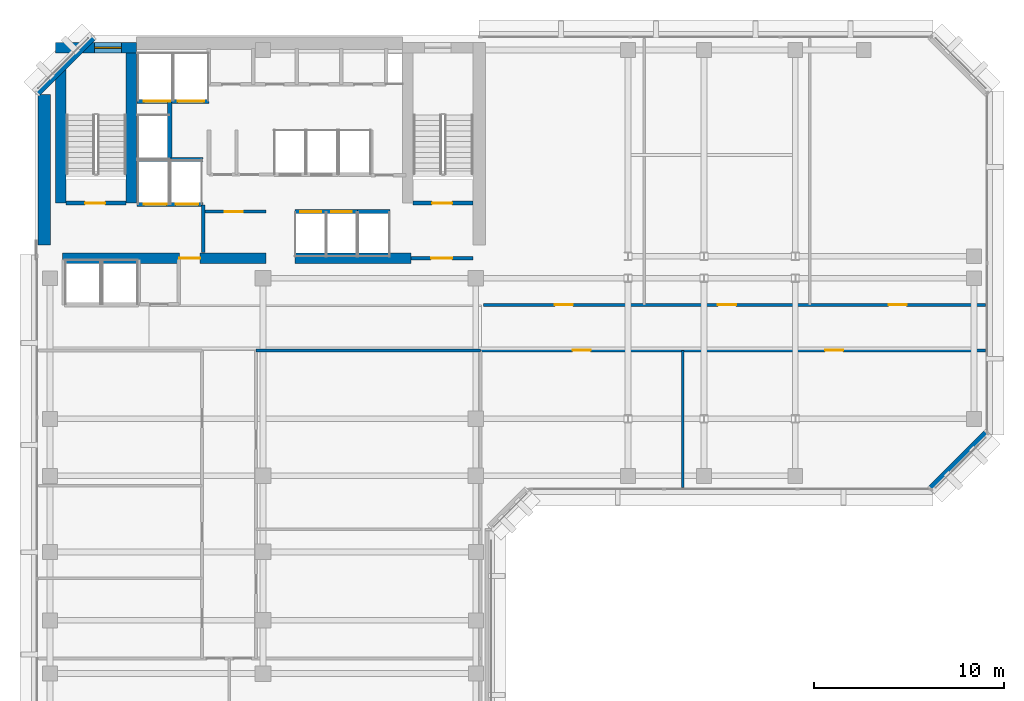
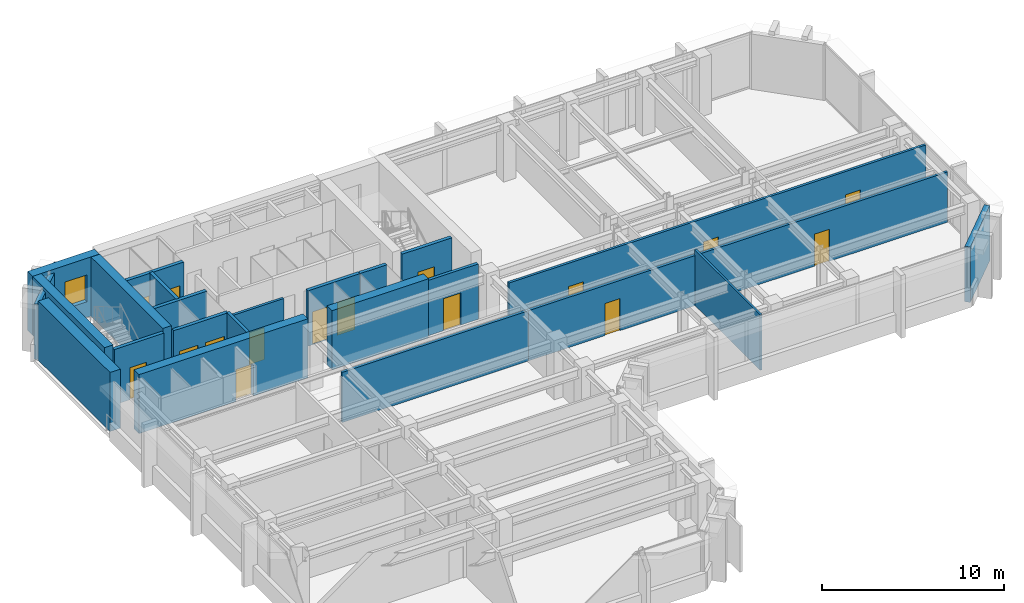
# One storey, part 7 of 12: 23 walls, 16 doors, 1 window, 17 openings.
"""IFC4 building model written with IfcOpenShell, lengths in metres."""

from ifc_helpers import new_model, si_unit, direction, frame, frame_2d, origin, place, context, subcontext, project, spatial, rectangle, extrude, material, layer, layer_set, type_object, element, fill, save


model = new_model("IFC4")

# Units and contexts
model_context = context("Model", 3, precision=1e-05, world=origin(), true_north=direction((0.0, 1.0)))
body_context = subcontext(model_context, "Body", "Model", "MODEL_VIEW")
ifc_project = project(units=[si_unit("LENGTHUNIT", "METRE"), si_unit("AREAUNIT", "SQUARE_METRE"), si_unit("VOLUMEUNIT", "CUBIC_METRE"), si_unit("PLANEANGLEUNIT", "RADIAN"), si_unit("MASSUNIT", "GRAM", prefix="KILO")], contexts=[model_context])

# Site, building, storey
site_placement = place(None, origin())
site = spatial("IfcSite", under=ifc_project, at=site_placement, CompositionType="ELEMENT")
building_placement = place(site_placement, origin())
building = spatial("IfcBuilding", under=site, at=building_placement, Name="Kefirva Bronze Tower", CompositionType="ELEMENT")
storey_placement = place(building_placement, frame((0.0, 0.0, 203.280029296875)))
storey = spatial("IfcBuildingStorey", under=building, at=storey_placement, Name="L49", CompositionType="ELEMENT", Elevation=203.280029296875)

# Wall
ifc_material_1 = material(Name="Gypsum acoustic partition")
ifc_layer_1 = layer(ifc_material_1, 0.1298828125, Name="Gypsum acoustic partition")
ifc_layer_set_1 = layer_set([ifc_layer_1], Name="Gypsum acoustic partition")
wall_type_1 = type_object("IfcWallType", Name="Acoustic Office Partition 130mm", PredefinedType="PARTITIONING", material=ifc_layer_set_1)
wall_1_placement = place(storey_placement, frame((34.073974609375, 22.18994140625, 0.0), z_axis=(0.0, 0.0, 1.0), x_axis=(0.0, 1.0, 0.0)))
element("IfcWall", 1, at=wall_1_placement, inside=storey, type_object=wall_type_1, Name="L49 Partition W-L49-ESD1", PredefinedType="PARTITIONING", context=body_context, shape_type="SweptSolid", body=[
    extrude(rectangle(XDim=7.2099609375, YDim=0.1298828125, at=frame_2d((3.60498046875, 0.0))), origin(), (0.0, 0.0, 1.0), 3.7099609375),
])

# Wall, opening, door
ifc_material_2 = material(Name="Gypsum fireboard shaftwall")
ifc_layer_2 = layer(ifc_material_2, 0.219970703125, Name="Gypsum fireboard shaftwall")
ifc_layer_set_2 = layer_set([ifc_layer_2], Name="Gypsum fireboard shaftwall")
wall_type_2 = type_object("IfcWallType", Name="Fire-Rated Shaft Enclosure Wall 220mm", PredefinedType="PARTITIONING", material=ifc_layer_set_2)
wall_2_placement = place(storey_placement, frame((1.64990234375, 37.14990234375, 0.0), z_axis=(0.0, 0.0, 1.0), x_axis=(1.0, 0.0, 0.0)))
wall_2 = element("IfcWall", 2, at=wall_2_placement, inside=storey, type_object=wall_type_2, Name="L49 Partition W-L49-ST1S", PredefinedType="PARTITIONING", context=body_context, shape_type="SweptSolid", body=[
    extrude(rectangle(XDim=3.150146484375, YDim=0.219970703125, at=frame_2d((1.5751953125, 0.0))), origin(), (0.0, 0.0, 1.0), 3.7099609375),
])
opening_1_placement = place(wall_2_placement, frame((2.050048828125, 0.0, 0.0), z_axis=(0.0, 0.0, 1.0), x_axis=(-1.0, 0.0, 0.0)))
opening_1 = element("IfcOpeningElement", 3, at=opening_1_placement, cuts=wall_2, Name="Opening L49-D001", PredefinedType="OPENING", context=body_context, shape_type="SweptSolid", body=[
    extrude(rectangle(XDim=1.050048828125, YDim=2.14990234375, at=frame_2d((0.52490234375, 1.074951171875))), frame((0.0, 0.1201171875, 0.0), z_axis=(0.0, -1.0, 0.0), x_axis=(1.0, 0.0, 0.0)), (0.0, 0.0, 1.0), 0.239990234375),
])
ifc_material_3 = material(Name="Painted galvanized steel", Category="steel")
door_type_1 = type_object("IfcDoorType", Name="Fire Stair Enclosure Door 1050x2150 FD90S", OperationType="NOTDEFINED", PredefinedType="DOOR", material=ifc_material_3)
door_1_placement = place(opening_1_placement, origin())
door_1 = element("IfcDoor", 4, at=door_1_placement, inside=storey, type_object=door_type_1, Name="Door L49-D001", OperationType="SINGLE_SWING_LEFT", OverallHeight=2.14990234375, OverallWidth=1.050048828125, PredefinedType="DOOR", context=body_context, shape_type="SweptSolid", body=[
    extrude(rectangle(XDim=1.050048828125, YDim=2.14990234375, at=frame_2d((0.52490234375, 1.074951171875))), frame((0.0, 0.02490234375, 0.0), z_axis=(0.0, -1.0, 0.0), x_axis=(1.0, 0.0, 0.0)), (0.0, 0.0, 1.0), 0.050048828125),
])
fill(opening_1, door_1)

wall_3_placement = place(storey_placement, frame((19.89990234375, 37.14990234375, 0.0), z_axis=(0.0, 0.0, 1.0), x_axis=(1.0, 0.0, 0.0)))
wall_3 = element("IfcWall", 5, at=wall_3_placement, inside=storey, type_object=wall_type_2, Name="L49 Partition W-L49-ST2S", PredefinedType="PARTITIONING", context=body_context, shape_type="SweptSolid", body=[
    extrude(rectangle(XDim=3.150146484375, YDim=0.219970703125, at=frame_2d((1.5751953125, 0.0))), origin(), (0.0, 0.0, 1.0), 3.7099609375),
])
opening_2_placement = place(wall_3_placement, frame((2.050048828125, 0.0, 0.0), z_axis=(0.0, 0.0, 1.0), x_axis=(-1.0, 0.0, 0.0)))
opening_2 = element("IfcOpeningElement", 6, at=opening_2_placement, cuts=wall_3, Name="Opening L49-D003", PredefinedType="OPENING", context=body_context, shape_type="SweptSolid", body=[
    extrude(rectangle(XDim=1.050048828125, YDim=2.14990234375, at=frame_2d((0.52490234375, 1.074951171875))), frame((0.0, 0.1201171875, 0.0), z_axis=(0.0, -1.0, 0.0), x_axis=(1.0, 0.0, 0.0)), (0.0, 0.0, 1.0), 0.239990234375),
])
door_2_placement = place(opening_2_placement, origin())
door_2 = element("IfcDoor", 7, at=door_2_placement, inside=storey, type_object=door_type_1, Name="Door L49-D003", OperationType="SINGLE_SWING_LEFT", OverallHeight=2.14990234375, OverallWidth=1.050048828125, PredefinedType="DOOR", context=body_context, shape_type="SweptSolid", body=[
    extrude(rectangle(XDim=1.050048828125, YDim=2.14990234375, at=frame_2d((0.52490234375, 1.074951171875))), frame((0.0, 0.02490234375, 0.0), z_axis=(0.0, -1.0, 0.0), x_axis=(1.0, 0.0, 0.0)), (0.0, 0.0, 1.0), 0.050048828125),
])
fill(opening_2, door_2)

# Wall, openings, doors
wall_4_placement = place(storey_placement, frame((5.3798828125, 37.080078125, 0.0), z_axis=(0.0, 0.0, 1.0), x_axis=(1.0, 0.0, 0.0)))
wall_4 = element("IfcWall", 8, at=wall_4_placement, inside=storey, type_object=wall_type_2, Name="L49 Partition W-L49-FFS", PredefinedType="PARTITIONING", context=body_context, shape_type="SweptSolid", body=[
    extrude(rectangle(XDim=3.460205078125, YDim=0.219970703125, at=frame_2d((1.72998046875, 0.0))), origin(), (0.0, 0.0, 1.0), 3.7099609375),
])
opening_3_placement = place(wall_4_placement, frame((1.550048828125, 0.0, 0.0), z_axis=(0.0, 0.0, 1.0), x_axis=(-1.0, 0.0, 0.0)))
opening_3 = element("IfcOpeningElement", 9, at=opening_3_placement, cuts=wall_4, Name="Opening L49-LD-FF1", PredefinedType="OPENING", context=body_context, shape_type="SweptSolid", body=[
    extrude(rectangle(XDim=1.199951171875, YDim=2.199951171875, at=frame_2d((0.60009765625, 1.10009765625))), frame((0.0, 0.1201171875, 0.0), z_axis=(0.0, -1.0, 0.0), x_axis=(1.0, 0.0, 0.0)), (0.0, 0.0, 1.0), 0.239990234375),
])
opening_4_placement = place(wall_4_placement, frame((3.219970703125, 0.0, 0.0), z_axis=(0.0, 0.0, 1.0), x_axis=(-1.0, 0.0, 0.0)))
opening_4 = element("IfcOpeningElement", 10, at=opening_4_placement, cuts=wall_4, Name="Opening L49-LD-FF2", PredefinedType="OPENING", context=body_context, shape_type="SweptSolid", body=[
    extrude(rectangle(XDim=1.199951171875, YDim=2.199951171875, at=frame_2d((0.60009765625, 1.10009765625))), frame((0.0, 0.1201171875, 0.0), z_axis=(0.0, -1.0, 0.0), x_axis=(1.0, 0.0, 0.0)), (0.0, 0.0, 1.0), 0.239990234375),
])
ifc_material_4 = material(Name="Stainless steel 316", Category="steel")
door_type_2 = type_object("IfcDoorType", Name="Firefighting Lift Sliding Door 1200x2200", OperationType="SLIDING_TO_RIGHT", PredefinedType="DOOR", material=ifc_material_4)
door_3_placement = place(opening_3_placement, origin())
door_3 = element("IfcDoor", 11, at=door_3_placement, inside=storey, type_object=door_type_2, Name="Door L49-LD-FF1", OperationType="SLIDING_TO_RIGHT", OverallHeight=2.199951171875, OverallWidth=1.199951171875, PredefinedType="DOOR", context=body_context, shape_type="SweptSolid", body=[
    extrude(rectangle(XDim=1.199951171875, YDim=2.199951171875, at=frame_2d((0.60009765625, 1.10009765625))), frame((0.0, 0.02490234375, 0.0), z_axis=(0.0, -1.0, 0.0), x_axis=(1.0, 0.0, 0.0)), (0.0, 0.0, 1.0), 0.050048828125),
])
fill(opening_3, door_3)
door_4_placement = place(opening_4_placement, origin())
door_4 = element("IfcDoor", 12, at=door_4_placement, inside=storey, type_object=door_type_2, Name="Door L49-LD-FF2", OperationType="SLIDING_TO_RIGHT", OverallHeight=2.199951171875, OverallWidth=1.199951171875, PredefinedType="DOOR", context=body_context, shape_type="SweptSolid", body=[
    extrude(rectangle(XDim=1.199951171875, YDim=2.199951171875, at=frame_2d((0.60009765625, 1.10009765625))), frame((0.0, 0.02490234375, 0.0), z_axis=(0.0, -1.0, 0.0), x_axis=(1.0, 0.0, 0.0)), (0.0, 0.0, 1.0), 0.050048828125),
])
fill(opening_4, door_4)

# Wall
wall_5_placement = place(storey_placement, frame((5.3798828125, 39.449951171875, 0.0), z_axis=(0.0, 0.0, 1.0), x_axis=(1.0, 0.0, 0.0)))
element("IfcWall", 13, at=wall_5_placement, inside=storey, type_object=wall_type_2, Name="L49 Partition W-L49-FFN", PredefinedType="PARTITIONING", context=body_context, shape_type="SweptSolid", body=[
    extrude(rectangle(XDim=3.460205078125, YDim=0.219970703125, at=frame_2d((1.72998046875, 0.0))), origin(), (0.0, 0.0, 1.0), 3.7099609375),
])

# Wall, openings, doors
wall_6_placement = place(storey_placement, frame((5.3798828125, 42.5, 0.0), z_axis=(0.0, 0.0, 1.0), x_axis=(1.0, 0.0, 0.0)))
wall_6 = element("IfcWall", 14, at=wall_6_placement, inside=storey, type_object=wall_type_2, Name="L49 Partition W-L49-SVS", PredefinedType="PARTITIONING", context=body_context, shape_type="SweptSolid", body=[
    extrude(rectangle(XDim=3.77001953125, YDim=0.219970703125, at=frame_2d((1.885009765625, 0.0))), origin(), (0.0, 0.0, 1.0), 3.7099609375),
])
opening_5_placement = place(wall_6_placement, frame((1.75, 0.0, 0.0), z_axis=(0.0, 0.0, 1.0), x_axis=(-1.0, 0.0, 0.0)))
opening_5 = element("IfcOpeningElement", 15, at=opening_5_placement, cuts=wall_6, Name="Opening L49-LD-SV1", PredefinedType="OPENING", context=body_context, shape_type="SweptSolid", body=[
    extrude(rectangle(XDim=1.39990234375, YDim=2.199951171875, at=frame_2d((0.699951171875, 1.10009765625))), frame((0.0, 0.1201171875, 0.0), z_axis=(0.0, -1.0, 0.0), x_axis=(1.0, 0.0, 0.0)), (0.0, 0.0, 1.0), 0.239990234375),
])
opening_6_placement = place(wall_6_placement, frame((3.52978515625, 0.0, 0.0), z_axis=(0.0, 0.0, 1.0), x_axis=(-1.0, 0.0, 0.0)))
opening_6 = element("IfcOpeningElement", 16, at=opening_6_placement, cuts=wall_6, Name="Opening L49-LD-SV2", PredefinedType="OPENING", context=body_context, shape_type="SweptSolid", body=[
    extrude(rectangle(XDim=1.39990234375, YDim=2.199951171875, at=frame_2d((0.699951171875, 1.10009765625))), frame((0.0, 0.1201171875, 0.0), z_axis=(0.0, -1.0, 0.0), x_axis=(1.0, 0.0, 0.0)), (0.0, 0.0, 1.0), 0.239990234375),
])
door_type_3 = type_object("IfcDoorType", Name="Goods Lift Bi-Parting Sliding Door 1400x2200", OperationType="SLIDING_TO_LEFT", PredefinedType="DOOR", material=ifc_material_4)
door_5_placement = place(opening_5_placement, origin())
door_5 = element("IfcDoor", 17, at=door_5_placement, inside=storey, type_object=door_type_3, Name="Door L49-LD-SV1", OperationType="SLIDING_TO_LEFT", OverallHeight=2.199951171875, OverallWidth=1.39990234375, PredefinedType="DOOR", context=body_context, shape_type="SweptSolid", body=[
    extrude(rectangle(XDim=1.39990234375, YDim=2.199951171875, at=frame_2d((0.699951171875, 1.10009765625))), frame((0.0, 0.02490234375, 0.0), z_axis=(0.0, -1.0, 0.0), x_axis=(1.0, 0.0, 0.0)), (0.0, 0.0, 1.0), 0.050048828125),
])
fill(opening_5, door_5)
door_6_placement = place(opening_6_placement, origin())
door_6 = element("IfcDoor", 18, at=door_6_placement, inside=storey, type_object=door_type_3, Name="Door L49-LD-SV2", OperationType="SLIDING_TO_LEFT", OverallHeight=2.199951171875, OverallWidth=1.39990234375, PredefinedType="DOOR", context=body_context, shape_type="SweptSolid", body=[
    extrude(rectangle(XDim=1.39990234375, YDim=2.199951171875, at=frame_2d((0.699951171875, 1.10009765625))), frame((0.0, 0.02490234375, 0.0), z_axis=(0.0, -1.0, 0.0), x_axis=(1.0, 0.0, 0.0)), (0.0, 0.0, 1.0), 0.050048828125),
])
fill(opening_6, door_6)

# Wall
wall_7_placement = place(storey_placement, frame((7.10009765625, 39.52001953125, 0.0), z_axis=(0.0, 0.0, 1.0), x_axis=(0.0, 1.0, 0.0)))
element("IfcWall", 19, at=wall_7_placement, inside=storey, type_object=wall_type_2, Name="L49 Partition W-L49-HP3E", PredefinedType="PARTITIONING", context=body_context, shape_type="SweptSolid", body=[
    extrude(rectangle(XDim=2.929931640625, YDim=0.219970703125, at=frame_2d((1.46484375, 0.0))), origin(), (0.0, 0.0, 1.0), 3.7099609375),
])

# Wall, openings, doors
wall_8_placement = place(storey_placement, frame((13.679931640625, 36.699951171875, 0.0), z_axis=(0.0, 0.0, 1.0), x_axis=(1.0, 0.0, 0.0)))
wall_8 = element("IfcWall", 20, at=wall_8_placement, inside=storey, type_object=wall_type_2, Name="L49 Partition W-L49-MPS", PredefinedType="PARTITIONING", context=body_context, shape_type="SweptSolid", body=[
    extrude(rectangle(XDim=3.280029296875, YDim=0.219970703125, at=frame_2d((1.64013671875, 0.0))), origin(), (0.0, 0.0, 1.0), 3.7099609375),
])
opening_7_placement = place(wall_8_placement, frame((0.280029296875, 0.0, 0.0)))
opening_7 = element("IfcOpeningElement", 21, at=opening_7_placement, cuts=wall_8, Name="Opening L49-LD-MP1", PredefinedType="OPENING", context=body_context, shape_type="SweptSolid", body=[
    extrude(rectangle(XDim=1.10009765625, YDim=2.199951171875, at=frame_2d((0.550048828125, 1.10009765625))), frame((0.0, 0.1201171875, 0.0), z_axis=(0.0, -1.0, 0.0), x_axis=(1.0, 0.0, 0.0)), (0.0, 0.0, 1.0), 0.239990234375),
])
opening_8_placement = place(wall_8_placement, frame((1.89990234375, 0.0, 0.0)))
opening_8 = element("IfcOpeningElement", 22, at=opening_8_placement, cuts=wall_8, Name="Opening L49-LD-MP2", PredefinedType="OPENING", context=body_context, shape_type="SweptSolid", body=[
    extrude(rectangle(XDim=1.10009765625, YDim=2.199951171875, at=frame_2d((0.550048828125, 1.10009765625))), frame((0.0, 0.1201171875, 0.0), z_axis=(0.0, -1.0, 0.0), x_axis=(1.0, 0.0, 0.0)), (0.0, 0.0, 1.0), 0.239990234375),
])
door_type_4 = type_object("IfcDoorType", Name="Passenger Lift Sliding Landing Door 1100x2200", OperationType="SLIDING_TO_LEFT", PredefinedType="DOOR", material=ifc_material_4)
door_7_placement = place(opening_7_placement, origin())
door_7 = element("IfcDoor", 23, at=door_7_placement, inside=storey, type_object=door_type_4, Name="Door L49-LD-MP1", OperationType="SLIDING_TO_RIGHT", OverallHeight=2.199951171875, OverallWidth=1.10009765625, PredefinedType="DOOR", context=body_context, shape_type="SweptSolid", body=[
    extrude(rectangle(XDim=1.10009765625, YDim=2.199951171875, at=frame_2d((0.550048828125, 1.10009765625))), frame((0.0, 0.02490234375, 0.0), z_axis=(0.0, -1.0, 0.0), x_axis=(1.0, 0.0, 0.0)), (0.0, 0.0, 1.0), 0.050048828125),
])
fill(opening_7, door_7)
door_8_placement = place(opening_8_placement, origin())
door_8 = element("IfcDoor", 24, at=door_8_placement, inside=storey, type_object=door_type_4, Name="Door L49-LD-MP2", OperationType="SLIDING_TO_RIGHT", OverallHeight=2.199951171875, OverallWidth=1.10009765625, PredefinedType="DOOR", context=body_context, shape_type="SweptSolid", body=[
    extrude(rectangle(XDim=1.10009765625, YDim=2.199951171875, at=frame_2d((0.550048828125, 1.10009765625))), frame((0.0, 0.02490234375, 0.0), z_axis=(0.0, -1.0, 0.0), x_axis=(1.0, 0.0, 0.0)), (0.0, 0.0, 1.0), 0.050048828125),
])
fill(opening_8, door_8)

# Walls
wall_9_placement = place(storey_placement, frame((16.97998046875, 36.699951171875, 0.0), z_axis=(0.0, 0.0, 1.0), x_axis=(1.0, 0.0, 0.0)))
element("IfcWall", 25, at=wall_9_placement, inside=storey, type_object=wall_type_2, Name="L49 Partition W-L49-HPS", PredefinedType="PARTITIONING", context=body_context, shape_type="SweptSolid", body=[
    extrude(rectangle(XDim=1.699951171875, YDim=0.219970703125, at=frame_2d((0.85009765625, 0.0))), origin(), (0.0, 0.0, 1.0), 3.7099609375),
])
ifc_material_5 = material(Name="Gypsum fireboard barrier")
ifc_layer_3 = layer(ifc_material_5, 0.199951171875, Name="Gypsum fireboard barrier")
ifc_layer_set_3 = layer_set([ifc_layer_3], Name="Gypsum fireboard barrier")
wall_type_3 = type_object("IfcWallType", Name="Firefighting Lobby Barrier Wall 200mm", PredefinedType="PARTITIONING", material=ifc_layer_set_3)
wall_10_placement = place(storey_placement, frame((8.860107421875, 34.550048828125, 0.0), z_axis=(0.0, 0.0, 1.0), x_axis=(0.0, 1.0, 0.0)))
element("IfcWall", 26, at=wall_10_placement, inside=storey, type_object=wall_type_3, Name="L49 Partition W-L49-FFLE", PredefinedType="PARTITIONING", context=body_context, shape_type="SweptSolid", body=[
    extrude(rectangle(XDim=2.5, YDim=0.199951171875, at=frame_2d((1.25, 0.0))), origin(), (0.0, 0.0, 1.0), 3.7099609375),
])

# Wall, opening, door
wall_11_placement = place(storey_placement, frame((19.800048828125, 34.25, 0.0), z_axis=(0.0, 0.0, 1.0), x_axis=(1.0, 0.0, 0.0)))
wall_11 = element("IfcWall", 27, at=wall_11_placement, inside=storey, type_object=wall_type_3, Name="L49 Partition W-L49-ST2F", PredefinedType="PARTITIONING", context=body_context, shape_type="SweptSolid", body=[
    extrude(rectangle(XDim=3.25, YDim=0.199951171875, at=frame_2d((1.625, 0.0))), origin(), (0.0, 0.0, 1.0), 3.7099609375),
])
opening_9_placement = place(wall_11_placement, frame((2.150146484375, 0.0, 0.0), z_axis=(0.0, 0.0, 1.0), x_axis=(-1.0, 0.0, 0.0)))
opening_9 = element("IfcOpeningElement", 28, at=opening_9_placement, cuts=wall_11, Name="Opening L49-D004", PredefinedType="OPENING", context=body_context, shape_type="SweptSolid", body=[
    extrude(rectangle(XDim=1.10009765625, YDim=2.14990234375, at=frame_2d((0.550048828125, 1.074951171875))), frame((0.0, 0.10986328125, 0.0), z_axis=(0.0, -1.0, 0.0), x_axis=(1.0, 0.0, 0.0)), (0.0, 0.0, 1.0), 0.219970703125),
])
door_type_5 = type_object("IfcDoorType", Name="Firefighting Lobby Smoke Door 1100x2150 FD60S", OperationType="NOTDEFINED", PredefinedType="DOOR", material=ifc_material_3)
door_9_placement = place(opening_9_placement, origin())
door_9 = element("IfcDoor", 29, at=door_9_placement, inside=storey, type_object=door_type_5, Name="Door L49-D004", OperationType="SINGLE_SWING_RIGHT", OverallHeight=2.14990234375, OverallWidth=1.10009765625, PredefinedType="DOOR", context=body_context, shape_type="SweptSolid", body=[
    extrude(rectangle(XDim=1.10009765625, YDim=2.14990234375, at=frame_2d((0.550048828125, 1.074951171875))), frame((0.0, 0.02490234375, 0.0), z_axis=(0.0, -1.0, 0.0), x_axis=(1.0, 0.0, 0.0)), (0.0, 0.0, 1.0), 0.050048828125),
])
fill(opening_9, door_9)

# Walls
ifc_material_6 = material(Name="Precast concrete C40/50", Category="concrete")
ifc_layer_4 = layer(ifc_material_6, 0.320068359375, Name="Precast concrete C40/50")
ifc_layer_set_4 = layer_set([ifc_layer_4], Name="Precast concrete C40/50")
wall_type_4 = type_object("IfcWallType", Name="Precast Insulated Exterior Wall 320mm", PredefinedType="SOLIDWALL", material=ifc_layer_set_4)
for number, where, z_axis, x_axis, name in (
    (30, (47.125732421875, 22.152099609375, 0.0), (0.0, 0.0, 1.0), (0.707136318428, 0.707077242712, 0.0), "L49 Exterior Facade Wall 4"),
    (31, (3.07421875, 45.847900390625, 0.0), (0.0, 0.0, 1.0), (-0.707106781187, -0.707106781187, 0.0), "L49 Exterior Facade Wall 6"),
):
    element("IfcWall", number, at=place(storey_placement, frame(where, z_axis=z_axis, x_axis=x_axis)), inside=storey, type_object=wall_type_4, Name=name, PredefinedType="SOLIDWALL", context=body_context, shape_type="SweptSolid", body=[
        extrude(rectangle(XDim=4.132568359375, YDim=0.320068359375, at=frame_2d((2.06640625, 0.0))), origin(), (0.0, 0.0, 1.0), 3.7099609375),
    ])

# Wall, opening, door
ifc_layer_5 = layer(ifc_material_1, 0.159912109375, Name="Gypsum acoustic partition")
ifc_layer_set_5 = layer_set([ifc_layer_5], Name="Gypsum acoustic partition")
wall_type_5 = type_object("IfcWallType", Name="Protected Corridor Partition 160mm", PredefinedType="PARTITIONING", material=ifc_layer_set_5)
wall_12_placement = place(storey_placement, frame((8.89990234375, 36.699951171875, 0.0), z_axis=(0.0, 0.0, 1.0), x_axis=(1.0, 0.0, 0.0)))
wall_12 = element("IfcWall", 32, at=wall_12_placement, inside=storey, type_object=wall_type_5, Name="L49 Partition W-L49-RECLP1", PredefinedType="PARTITIONING", context=body_context, shape_type="SweptSolid", body=[
    extrude(rectangle(XDim=3.25, YDim=0.159912109375, at=frame_2d((1.625, 0.0))), origin(), (0.0, 0.0, 1.0), 3.7099609375),
])
opening_10_placement = place(wall_12_placement, frame((1.10009765625, 0.0, 0.0)))
opening_10 = element("IfcOpeningElement", 33, at=opening_10_placement, cuts=wall_12, Name="Opening L49-D-RECLP1", PredefinedType="OPENING", context=body_context, shape_type="SweptSolid", body=[
    extrude(rectangle(XDim=0.949951171875, YDim=2.14990234375, at=frame_2d((0.47509765625, 1.074951171875))), frame((0.0, 0.08984375, 0.0), z_axis=(0.0, -1.0, 0.0), x_axis=(1.0, 0.0, 0.0)), (0.0, 0.0, 1.0), 0.179931640625),
])
ifc_material_7 = material(Name="Acoustic hardwood oak", Category="wood")
door_type_6 = type_object("IfcDoorType", Name="Office & Meeting Room Door 950x2150", OperationType="NOTDEFINED", PredefinedType="DOOR", material=ifc_material_7)
door_10_placement = place(opening_10_placement, origin())
door_10 = element("IfcDoor", 34, at=door_10_placement, inside=storey, type_object=door_type_6, Name="Door L49-D-RECLP1", OperationType="SINGLE_SWING_LEFT", OverallHeight=2.14990234375, OverallWidth=0.949951171875, PredefinedType="DOOR", context=body_context, shape_type="SweptSolid", body=[
    extrude(rectangle(XDim=0.949951171875, YDim=2.14990234375, at=frame_2d((0.47509765625, 1.074951171875))), frame((0.0, 0.02490234375, 0.0), z_axis=(0.0, -1.0, 0.0), x_axis=(1.0, 0.0, 0.0)), (0.0, 0.0, 1.0), 0.050048828125),
])
fill(opening_10, door_10)

# Wall
wall_13_placement = place(storey_placement, frame((11.639892578125, 29.39990234375, 0.0), z_axis=(0.0, 0.0, 1.0), x_axis=(1.0, 0.0, 0.0)))
element("IfcWall", 35, at=wall_13_placement, inside=storey, type_object=wall_type_5, Name="L49 Partition W-L49-NET", PredefinedType="PARTITIONING", context=body_context, shape_type="SweptSolid", body=[
    extrude(rectangle(XDim=11.81005859375, YDim=0.159912109375, at=frame_2d((5.905029296875, 0.0))), origin(), (0.0, 0.0, 1.0), 3.364990234375),
])

# Wall, openings, doors
wall_14_placement = place(storey_placement, frame((23.449951171875, 29.39990234375, 0.0), z_axis=(0.0, 0.0, 1.0), x_axis=(1.0, 0.0, 0.0)))
wall_14 = element("IfcWall", 36, at=wall_14_placement, inside=storey, type_object=wall_type_5, Name="L49 Partition W-L49-EWS", PredefinedType="PARTITIONING", context=body_context, shape_type="SweptSolid", body=[
    extrude(rectangle(XDim=26.56005859375, YDim=0.159912109375, at=frame_2d((13.280029296875, 0.0))), origin(), (0.0, 0.0, 1.0), 3.364990234375),
])
opening_11_placement = place(wall_14_placement, frame((5.786865234375, 0.0, 0.0), z_axis=(0.0, 0.0, 1.0), x_axis=(-1.0, 0.0, 0.0)))
opening_11 = element("IfcOpeningElement", 37, at=opening_11_placement, cuts=wall_14, Name="Opening L49-D-ES1", PredefinedType="OPENING", context=body_context, shape_type="SweptSolid", body=[
    extrude(rectangle(XDim=0.949951171875, YDim=2.14990234375, at=frame_2d((0.47509765625, 1.074951171875))), frame((0.0, 0.08984375, 0.0), z_axis=(0.0, -1.0, 0.0), x_axis=(1.0, 0.0, 0.0)), (0.0, 0.0, 1.0), 0.179931640625),
])
opening_12_placement = place(wall_14_placement, frame((19.06689453125, 0.0, 0.0), z_axis=(0.0, 0.0, 1.0), x_axis=(-1.0, 0.0, 0.0)))
opening_12 = element("IfcOpeningElement", 38, at=opening_12_placement, cuts=wall_14, Name="Opening L49-D-ES2", PredefinedType="OPENING", context=body_context, shape_type="SweptSolid", body=[
    extrude(rectangle(XDim=0.949951171875, YDim=2.14990234375, at=frame_2d((0.47509765625, 1.074951171875))), frame((0.0, 0.08984375, 0.0), z_axis=(0.0, -1.0, 0.0), x_axis=(1.0, 0.0, 0.0)), (0.0, 0.0, 1.0), 0.179931640625),
])
door_11_placement = place(opening_11_placement, origin())
door_11 = element("IfcDoor", 39, at=door_11_placement, inside=storey, type_object=door_type_6, Name="Door L49-D-ES1", OperationType="SINGLE_SWING_LEFT", OverallHeight=2.14990234375, OverallWidth=0.949951171875, PredefinedType="DOOR", context=body_context, shape_type="SweptSolid", body=[
    extrude(rectangle(XDim=0.949951171875, YDim=2.14990234375, at=frame_2d((0.47509765625, 1.074951171875))), frame((0.0, 0.02490234375, 0.0), z_axis=(0.0, -1.0, 0.0), x_axis=(1.0, 0.0, 0.0)), (0.0, 0.0, 1.0), 0.050048828125),
])
fill(opening_11, door_11)
door_12_placement = place(opening_12_placement, origin())
door_12 = element("IfcDoor", 40, at=door_12_placement, inside=storey, type_object=door_type_6, Name="Door L49-D-ES2", OperationType="SINGLE_SWING_RIGHT", OverallHeight=2.14990234375, OverallWidth=0.949951171875, PredefinedType="DOOR", context=body_context, shape_type="SweptSolid", body=[
    extrude(rectangle(XDim=0.949951171875, YDim=2.14990234375, at=frame_2d((0.47509765625, 1.074951171875))), frame((0.0, 0.02490234375, 0.0), z_axis=(0.0, -1.0, 0.0), x_axis=(1.0, 0.0, 0.0)), (0.0, 0.0, 1.0), 0.050048828125),
])
fill(opening_12, door_12)

wall_15_placement = place(storey_placement, frame((23.60009765625, 31.800048828125, 0.0), z_axis=(0.0, 0.0, 1.0), x_axis=(1.0, 0.0, 0.0)))
wall_15 = element("IfcWall", 41, at=wall_15_placement, inside=storey, type_object=wall_type_5, Name="L49 Partition W-L49-EWN", PredefinedType="PARTITIONING", context=body_context, shape_type="SweptSolid", body=[
    extrude(rectangle(XDim=26.409912109375, YDim=0.159912109375, at=frame_2d((13.205078125, 0.0))), origin(), (0.0, 0.0, 1.0), 3.7099609375),
])
opening_13_placement = place(wall_15_placement, frame((3.75048828125, 0.0, 0.0)))
opening_13 = element("IfcOpeningElement", 42, at=opening_13_placement, cuts=wall_15, Name="Opening L49-D-EN1", PredefinedType="OPENING", context=body_context, shape_type="SweptSolid", body=[
    extrude(rectangle(XDim=0.949951171875, YDim=2.14990234375, at=frame_2d((0.47509765625, 1.074951171875))), frame((0.0, 0.08984375, 0.0), z_axis=(0.0, -1.0, 0.0), x_axis=(1.0, 0.0, 0.0)), (0.0, 0.0, 1.0), 0.179931640625),
])
opening_14_placement = place(wall_15_placement, frame((12.333740234375, 0.0, 0.0)))
opening_14 = element("IfcOpeningElement", 43, at=opening_14_placement, cuts=wall_15, Name="Opening L49-D-EN2", PredefinedType="OPENING", context=body_context, shape_type="SweptSolid", body=[
    extrude(rectangle(XDim=0.949951171875, YDim=2.14990234375, at=frame_2d((0.47509765625, 1.074951171875))), frame((0.0, 0.08984375, 0.0), z_axis=(0.0, -1.0, 0.0), x_axis=(1.0, 0.0, 0.0)), (0.0, 0.0, 1.0), 0.179931640625),
])
opening_15_placement = place(wall_15_placement, frame((21.313232421875, 0.0, 0.0)))
opening_15 = element("IfcOpeningElement", 44, at=opening_15_placement, cuts=wall_15, Name="Opening L49-D-EN3", PredefinedType="OPENING", context=body_context, shape_type="SweptSolid", body=[
    extrude(rectangle(XDim=0.949951171875, YDim=2.14990234375, at=frame_2d((0.47509765625, 1.074951171875))), frame((0.0, 0.08984375, 0.0), z_axis=(0.0, -1.0, 0.0), x_axis=(1.0, 0.0, 0.0)), (0.0, 0.0, 1.0), 0.179931640625),
])
door_13_placement = place(opening_13_placement, origin())
door_13 = element("IfcDoor", 45, at=door_13_placement, inside=storey, type_object=door_type_6, Name="Door L49-D-EN1", OperationType="SINGLE_SWING_LEFT", OverallHeight=2.14990234375, OverallWidth=0.949951171875, PredefinedType="DOOR", context=body_context, shape_type="SweptSolid", body=[
    extrude(rectangle(XDim=0.949951171875, YDim=2.14990234375, at=frame_2d((0.47509765625, 1.074951171875))), frame((0.0, 0.02490234375, 0.0), z_axis=(0.0, -1.0, 0.0), x_axis=(1.0, 0.0, 0.0)), (0.0, 0.0, 1.0), 0.050048828125),
])
fill(opening_13, door_13)
door_14_placement = place(opening_14_placement, origin())
door_14 = element("IfcDoor", 46, at=door_14_placement, inside=storey, type_object=door_type_6, Name="Door L49-D-EN2", OperationType="SINGLE_SWING_RIGHT", OverallHeight=2.14990234375, OverallWidth=0.949951171875, PredefinedType="DOOR", context=body_context, shape_type="SweptSolid", body=[
    extrude(rectangle(XDim=0.949951171875, YDim=2.14990234375, at=frame_2d((0.47509765625, 1.074951171875))), frame((0.0, 0.02490234375, 0.0), z_axis=(0.0, -1.0, 0.0), x_axis=(1.0, 0.0, 0.0)), (0.0, 0.0, 1.0), 0.050048828125),
])
fill(opening_14, door_14)
door_15_placement = place(opening_15_placement, origin())
door_15 = element("IfcDoor", 47, at=door_15_placement, inside=storey, type_object=door_type_6, Name="Door L49-D-EN3", OperationType="SINGLE_SWING_LEFT", OverallHeight=2.14990234375, OverallWidth=0.949951171875, PredefinedType="DOOR", context=body_context, shape_type="SweptSolid", body=[
    extrude(rectangle(XDim=0.949951171875, YDim=2.14990234375, at=frame_2d((0.47509765625, 1.074951171875))), frame((0.0, 0.02490234375, 0.0), z_axis=(0.0, -1.0, 0.0), x_axis=(1.0, 0.0, 0.0)), (0.0, 0.0, 1.0), 0.050048828125),
])
fill(opening_15, door_15)

# Wall, opening, window
ifc_material_8 = material(Name="Concrete C50/60", Category="concrete")
ifc_layer_6 = layer(ifc_material_8, 0.550048828125, Name="Concrete C50/60")
ifc_layer_set_6 = layer_set([ifc_layer_6], Name="Concrete C50/60")
wall_type_6 = type_object("IfcWallType", Name="RC Rear Core Exterior Wall 550mm", PredefinedType="SHEAR", material=ifc_layer_set_6)
wall_16_placement = place(storey_placement, frame((1.10009765625, 45.320068359375, 0.0), z_axis=(0.0, 0.0, 1.0), x_axis=(1.0, 0.0, 0.0)))
wall_16 = element("IfcWall", 48, at=wall_16_placement, inside=storey, type_object=wall_type_6, Name="L49 Stair 1 North Shear Wall", PredefinedType="SHEAR", context=body_context, shape_type="SweptSolid", body=[
    extrude(rectangle(XDim=4.239990234375, YDim=0.550048828125, at=frame_2d((2.1201171875, 0.0))), origin(), (0.0, 0.0, 1.0), 3.9599609375),
])
opening_16_placement = place(wall_16_placement, frame((2.050048828125, 0.0, 1.050048828125)))
opening_16 = element("IfcOpeningElement", 49, at=opening_16_placement, cuts=wall_16, Name="Opening WN-03", PredefinedType="OPENING", context=body_context, shape_type="SweptSolid", body=[
    extrude(rectangle(XDim=1.39990234375, YDim=1.800048828125, at=frame_2d((0.699951171875, 0.89990234375))), frame((0.0, 0.28515625, 0.0), z_axis=(0.0, -1.0, 0.0), x_axis=(1.0, 0.0, 0.0)), (0.0, 0.0, 1.0), 0.570068359375),
])
ifc_material_9 = material(Name="Laminated low-E double glazing", Category="glass")
window_type = type_object("IfcWindowType", Name="Rear-Core Stair Daylight Window 1400x1800", PartitioningType="SINGLE_PANEL", PredefinedType="WINDOW", material=ifc_material_9)
window_placement = place(opening_16_placement, origin())
window = element("IfcWindow", 50, at=window_placement, inside=storey, type_object=window_type, Name="L49 Stair 1 Daylight Window", OverallHeight=1.800048828125, OverallWidth=1.39990234375, PartitioningType="SINGLE_PANEL", PredefinedType="WINDOW", context=body_context, shape_type="SweptSolid", body=[
    extrude(rectangle(XDim=1.39990234375, YDim=1.800048828125, at=frame_2d((0.699951171875, 0.89990234375))), frame((0.0, 0.030029296875, 0.0), z_axis=(0.0, -1.0, 0.0), x_axis=(1.0, 0.0, 0.0)), (0.0, 0.0, 1.0), 0.06005859375),
])
fill(opening_16, window)

# Walls
ifc_layer_7 = layer(ifc_material_8, 0.64990234375, Name="Concrete C50/60")
ifc_layer_set_7 = layer_set([ifc_layer_7], Name="Concrete C50/60")
wall_type_7 = type_object("IfcWallType", Name="RC Rear Core Exterior Wall 650mm", PredefinedType="SHEAR", material=ifc_layer_set_7)
wall_17_placement = place(storey_placement, frame((0.5, 34.949951171875, 0.0), z_axis=(0.0, 0.0, 1.0), x_axis=(0.0, 1.0, 0.0)))
element("IfcWall", 51, at=wall_17_placement, inside=storey, type_object=wall_type_7, Name="L49 Rear Core West Shear Wall", PredefinedType="SHEAR", context=body_context, shape_type="SweptSolid", body=[
    extrude(rectangle(XDim=7.900146484375, YDim=0.64990234375, at=frame_2d((3.9501953125, 0.0))), origin(), (0.0, 0.0, 1.0), 3.9599609375),
])
ifc_layer_8 = layer(ifc_material_8, 0.550048828125, Name="Concrete C50/60")
ifc_layer_set_8 = layer_set([ifc_layer_8], Name="Concrete C50/60")
wall_type_8 = type_object("IfcWallType", Name="RC Rear Core Interior Wall 550mm", PredefinedType="SHEAR", material=ifc_layer_set_8)
for number, where, z_axis, x_axis, name in (
    (52, (1.3701171875, 37.14990234375, 0.0), (0.0, 0.0, 1.0), (0.0, 1.0, 0.0), "L49 Stair 1 West Shear Wall"),
    (53, (5.070068359375, 37.14990234375, 0.0), (0.0, 0.0, 1.0), (0.0, 1.0, 0.0), "L49 Stair 1 East Shear Wall"),
):
    element("IfcWall", number, at=place(storey_placement, frame(where, z_axis=z_axis, x_axis=x_axis)), inside=storey, type_object=wall_type_8, Name=name, PredefinedType="SHEAR", context=body_context, shape_type="SweptSolid", body=[
        extrude(rectangle(XDim=7.89013671875, YDim=0.550048828125, at=frame_2d((3.945068359375, 0.0))), origin(), (0.0, 0.0, 1.0), 3.9599609375),
    ])

# Wall, opening, door
ifc_layer_9 = layer(ifc_material_8, 0.64990234375, Name="Concrete C50/60")
ifc_layer_set_9 = layer_set([ifc_layer_9], Name="Concrete C50/60")
wall_type_9 = type_object("IfcWallType", Name="RC Rear Core Interior Wall 650mm", PredefinedType="SHEAR", material=ifc_layer_set_9)
wall_18_placement = place(storey_placement, frame((1.449951171875, 34.25, 0.0), z_axis=(0.0, 0.0, 1.0), x_axis=(1.0, 0.0, 0.0)))
wall_18 = element("IfcWall", 54, at=wall_18_placement, inside=storey, type_object=wall_type_9, Name="L49 Rear Core South-West Shear Wall", PredefinedType="SHEAR", context=body_context, shape_type="SweptSolid", body=[
    extrude(rectangle(XDim=10.7099609375, YDim=0.550048828125, at=frame_2d((5.35498046875, 0.0))), origin(), (0.0, 0.0, 1.0), 3.9599609375),
])
opening_17_placement = place(wall_18_placement, frame((7.25, 0.0, 0.0), z_axis=(0.0, 0.0, 1.0), x_axis=(-1.0, 0.0, 0.0)))
opening_17 = element("IfcOpeningElement", 55, at=opening_17_placement, cuts=wall_18, Name="Opening L49-D002", PredefinedType="OPENING", context=body_context, shape_type="SweptSolid", body=[
    extrude(rectangle(XDim=1.10009765625, YDim=2.14990234375, at=frame_2d((0.550048828125, 1.074951171875))), frame((0.0, 0.28515625, 0.0), z_axis=(0.0, -1.0, 0.0), x_axis=(1.0, 0.0, 0.0)), (0.0, 0.0, 1.0), 0.570068359375),
])
door_16_placement = place(opening_17_placement, origin())
door_16 = element("IfcDoor", 56, at=door_16_placement, inside=storey, type_object=door_type_5, Name="Door L49-D002", OperationType="SINGLE_SWING_RIGHT", OverallHeight=2.14990234375, OverallWidth=1.10009765625, PredefinedType="DOOR", context=body_context, shape_type="SweptSolid", body=[
    extrude(rectangle(XDim=1.10009765625, YDim=2.14990234375, at=frame_2d((0.550048828125, 1.074951171875))), frame((0.0, 0.02490234375, 0.0), z_axis=(0.0, -1.0, 0.0), x_axis=(1.0, 0.0, 0.0)), (0.0, 0.0, 1.0), 0.050048828125),
])
fill(opening_17, door_16)

# Wall
wall_19_placement = place(storey_placement, frame((13.679931640625, 34.25, 0.0), z_axis=(0.0, 0.0, 1.0), x_axis=(1.0, 0.0, 0.0)))
element("IfcWall", 57, at=wall_19_placement, inside=storey, type_object=wall_type_9, Name="L49 Rear Core South-East Shear Wall", PredefinedType="SHEAR", context=body_context, shape_type="SweptSolid", body=[
    extrude(rectangle(XDim=6.1201171875, YDim=0.550048828125, at=frame_2d((3.06005859375, 0.0))), origin(), (0.0, 0.0, 1.0), 3.9599609375),
])

save(model, "model.ifc")
